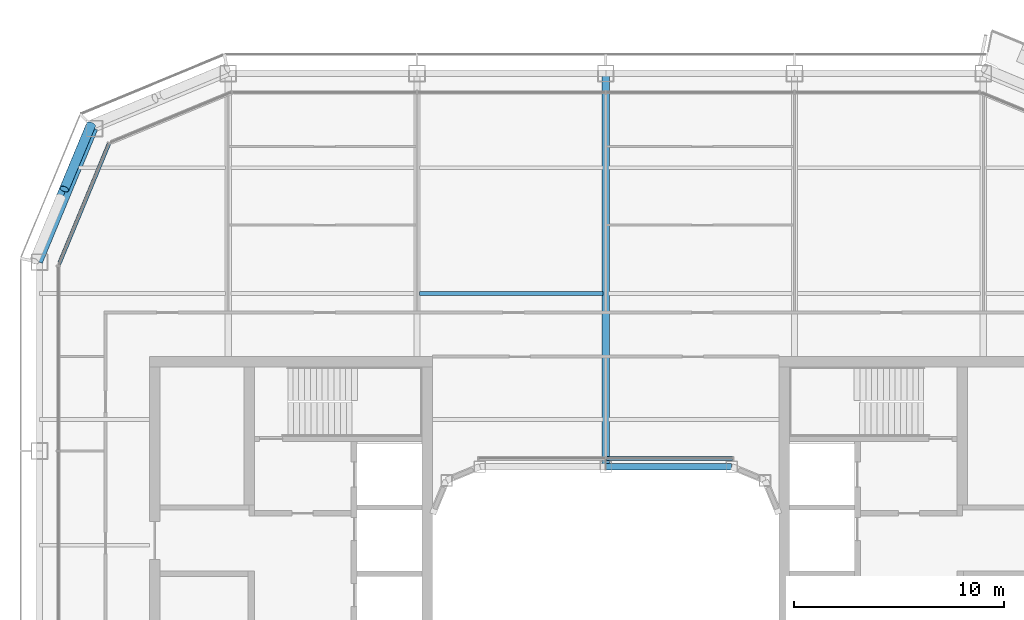
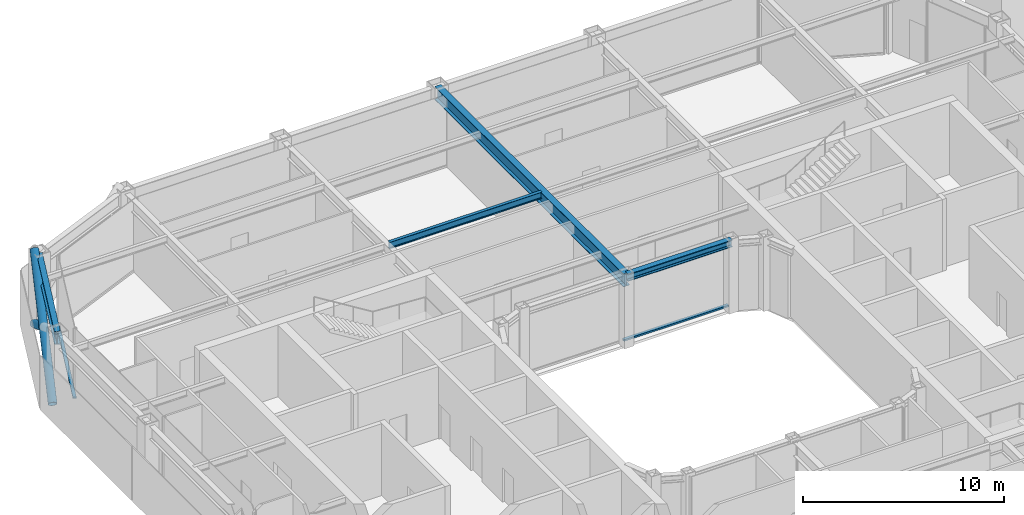
# One storey, part 7 of 23: 4 beams, 4 members, 2 elements without a shape of their own.
"""IFC4 building model written with IfcOpenShell, lengths in metres."""

from ifc_helpers import new_model, si_unit, direction, frame, origin, origin_2d, place, context, subcontext, project, spatial, rectangle, hollow_circle, i_section, extrude, material, layer, layer_set, material_profile, profile_set, type_object, element, aggregate, save


model = new_model("IFC4")

# Units and contexts
model_context = context("Model", 3, precision=1e-05, world=origin(), true_north=direction((0.0, 1.0)))
body_context = subcontext(model_context, "Body", "Model", "MODEL_VIEW")
ifc_project = project(units=[si_unit("LENGTHUNIT", "METRE"), si_unit("AREAUNIT", "SQUARE_METRE"), si_unit("VOLUMEUNIT", "CUBIC_METRE"), si_unit("PLANEANGLEUNIT", "RADIAN"), si_unit("MASSUNIT", "GRAM", prefix="KILO")], contexts=[model_context])

# Site, building, storey
site_placement = place(None, origin())
site = spatial("IfcSite", under=ifc_project, at=site_placement, CompositionType="ELEMENT")
building_placement = place(site_placement, origin())
building = spatial("IfcBuilding", under=site, at=building_placement, Name="Siwar Civic Tower", CompositionType="ELEMENT")
storey_placement = place(building_placement, frame((0.0, 0.0, 242.199951171875)))
storey = spatial("IfcBuildingStorey", under=building, at=storey_placement, Name="L52", CompositionType="ELEMENT", Elevation=242.199951171875)

# Curtain wall, member
ifc_material_1 = material(Name="Aluminium clad insulated panel", Category="aluminium")
ifc_layer_1 = layer(ifc_material_1, 0.179931640625)
ifc_layer_set_1 = layer_set([ifc_layer_1], Name="Aluminium clad insulated panel")
curtain_wall_type_1 = type_object("IfcCurtainWallType", Name="ENV-CW-CX", PredefinedType="NOTDEFINED", material=ifc_layer_set_1)
curtain_wall_1_placement = place(storey_placement, origin())
curtain_wall_1 = element("IfcCurtainWall", 1, at=curtain_wall_1_placement, inside=storey, type_object=curtain_wall_type_1, Name="Curtain wall C NW2", PredefinedType="NOTDEFINED")
ifc_material_2 = material(Name="Aluminium 6063-T6", Category="aluminium")
ifc_material_profile_1 = material_profile(ifc_material_2, rectangle(XDim=0.179931640625, YDim=0.10009765625, at=origin_2d()), Name="AL 180x100")
ifc_profile_set_1 = profile_set([ifc_material_profile_1], Name="Aluminium 6063-T6")
member_type_1 = type_object("IfcMemberType", Name="ENV-TRANSOM-C", PredefinedType="USERDEFINED", material=ifc_profile_set_1)
member_1_placement = place(storey_placement, frame((-23.6865234375, 23.6474609375, 0.050048828125), z_axis=(-0.382691366456, -0.923876246063, 0.0), x_axis=(0.923876246063, -0.382691366456, 0.0)))
member_1 = element("IfcMember", 2, at=member_1_placement, type_object=member_type_1, Name="Transom C NW2 1", ObjectType="TRANSOM", PredefinedType="USERDEFINED", context=body_context, shape_type="SweptSolid", body=[
    extrude(rectangle(XDim=0.179931640625, YDim=0.10009765625, at=origin_2d()), origin(), (0.0, 0.0, 1.0), 6.20166015625),
])
aggregate(curtain_wall_1, [member_1])

ifc_material_3 = material(Name="Aluminium and glass", Category="aluminium")
ifc_layer_2 = layer(ifc_material_3, 0.179931640625)
ifc_layer_set_2 = layer_set([ifc_layer_2], Name="Aluminium and glass")
curtain_wall_type_2 = type_object("IfcCurtainWallType", Name="ENV-CW-W", PredefinedType="NOTDEFINED", material=ifc_layer_set_2)
curtain_wall_2_placement = place(storey_placement, origin())
curtain_wall_2 = element("IfcCurtainWall", 3, at=curtain_wall_2_placement, inside=storey, type_object=curtain_wall_type_2, Name="Curtain wall W WN", PredefinedType="NOTDEFINED")
ifc_material_4 = material(Name="Aluminium 6063-T6", Category="aluminium")
ifc_material_profile_2 = material_profile(ifc_material_4, rectangle(XDim=0.179931640625, YDim=0.10009765625, at=origin_2d()), Name="AL 180x100")
ifc_profile_set_2 = profile_set([ifc_material_profile_2], Name="Aluminium 6063-T6")
member_type_2 = type_object("IfcMemberType", Name="ENV-TRANSOM-W", PredefinedType="USERDEFINED", material=ifc_profile_set_2)
member_2_placement = place(storey_placement, frame((6.046630859375, 8.635009765625, 0.050048828125), z_axis=(-1.0, 0.0, 0.0), x_axis=(0.0, -1.0, 0.0)))
member_2 = element("IfcMember", 4, at=member_2_placement, type_object=member_type_2, Name="Transom W WN 1", ObjectType="TRANSOM", PredefinedType="USERDEFINED", context=body_context, shape_type="SweptSolid", body=[
    extrude(rectangle(XDim=0.179931640625, YDim=0.10009765625, at=origin_2d()), origin(), (0.0, 0.0, 1.0), 6.0166015625),
])
aggregate(curtain_wall_2, [member_2])

# Members
ifc_material_5 = material(Name="Steel S355", Category="steel")
ifc_material_profile_3 = material_profile(ifc_material_5, hollow_circle(Radius=0.228515625, WallThickness=0.02001953125, at=origin_2d()), Name="CHS457x20")
ifc_profile_set_3 = profile_set([ifc_material_profile_3], Name="Steel S355")
member_type_3 = type_object("IfcMemberType", Name="STR-BR-CHS457x20", PredefinedType="BRACE", material=ifc_profile_set_3)
member_3_placement = place(storey_placement, frame((-27.2451171875, 18.048828125, 0.0), z_axis=(0.323905527954, 0.777554562952, 0.538975055633), x_axis=(-0.923108759191, 0.384538969033, 0.0)))
element("IfcMember", 5, at=member_3_placement, inside=storey, type_object=member_type_3, Name="L52/brc/CNW1-12-0-1", PredefinedType="BRACE", context=body_context, shape_type="SweptSolid", body=[
    extrude(hollow_circle(Radius=0.228515625, WallThickness=0.02001953125, at=origin_2d()), origin(), (0.0, 0.0, 1.0), 8.34912109375),
])
member_4_placement = place(storey_placement, frame((-24.540771484375, 24.540771484375, 0.0), z_axis=(-0.323884455881, -0.777546448489, 0.538999424564), x_axis=(0.92311621485, -0.38452107079, 0.0)))
element("IfcMember", 6, at=member_4_placement, inside=storey, type_object=member_type_3, Name="L52/brc/CNW1-12-0-2", PredefinedType="BRACE", context=body_context, shape_type="SweptSolid", body=[
    extrude(hollow_circle(Radius=0.228515625, WallThickness=0.02001953125, at=origin_2d()), origin(), (0.0, 0.0, 1.0), 3.927978515625),
])

# Beams
ifc_material_6 = material(Name="Steel S355", Category="steel")
ifc_material_profile_4 = material_profile(ifc_material_6, i_section(OverallWidth=0.179931640625, OverallDepth=0.39990234375, WebThickness=0.008544921875, FlangeThickness=0.013427734375, FilletRadius=0.02099609375, at=origin_2d()), Name="IPE400")
ifc_profile_set_4 = profile_set([ifc_material_profile_4], Name="Steel S355")
beam_type_1 = type_object("IfcBeamType", Name="STR-FB-IPE400", PredefinedType="JOIST", material=ifc_profile_set_4)
beam_1_placement = place(storey_placement, frame((-8.8701171875, 16.5, 4.150146484375), z_axis=(1.0, 0.0, 0.0), x_axis=(0.0, 1.0, 0.0)))
element("IfcBeam", 7, at=beam_1_placement, inside=storey, type_object=beam_type_1, Name="L52/bm/F033", PredefinedType="JOIST", context=body_context, shape_type="SweptSolid", body=[
    extrude(i_section(OverallWidth=0.179931640625, OverallDepth=0.39990234375, WebThickness=0.008544921875, FlangeThickness=0.013427734375, FilletRadius=0.02099609375, at=origin_2d()), origin(), (0.0, 0.0, 1.0), 8.740234375),
])
ifc_material_7 = material(Name="Steel S355", Category="steel")
ifc_material_profile_5 = material_profile(ifc_material_7, i_section(OverallWidth=0.360107421875, OverallDepth=0.800048828125, WebThickness=0.013916015625, FlangeThickness=0.031982421875, at=origin_2d()), Name="PG800x360x14x32")
ifc_profile_set_5 = profile_set([ifc_material_profile_5], Name="Steel S355")
beam_type_2 = type_object("IfcBeamType", Name="STR-PG-PG800x360x14x32", PredefinedType="BEAM", material=ifc_profile_set_5)
beam_2_placement = place(storey_placement, frame((0.0, 8.25, 3.949951171875), z_axis=(0.0, 1.0, 0.0), x_axis=(-1.0, 0.0, 0.0)))
element("IfcBeam", 8, at=beam_2_placement, inside=storey, type_object=beam_type_2, Name="L52/bm/G06", PredefinedType="BEAM", context=body_context, shape_type="SweptSolid", body=[
    extrude(i_section(OverallWidth=0.360107421875, OverallDepth=0.800048828125, WebThickness=0.013916015625, FlangeThickness=0.031982421875, at=origin_2d()), origin(), (0.0, 0.0, 1.0), 18.75),
])
ifc_material_8 = material(Name="Steel S355", Category="steel")
ifc_material_profile_6 = material_profile(ifc_material_8, i_section(OverallWidth=0.306884765625, OverallDepth=0.431884765625, WebThickness=0.02099609375, FlangeThickness=0.0400390625, FilletRadius=0.027099609375, at=origin_2d()), Name="HEM400")
ifc_profile_set_6 = profile_set([ifc_material_profile_6], Name="Steel S355")
beam_type_3 = type_object("IfcBeamType", Name="STR-RB-HEM400", PredefinedType="BEAM", material=ifc_profile_set_6)
beam_3_placement = place(storey_placement, frame((0.0, 8.25, 4.134033203125), z_axis=(1.0, 0.0, 0.0), x_axis=(0.0, 1.0, 0.0)))
element("IfcBeam", 9, at=beam_3_placement, inside=storey, type_object=beam_type_3, Name="L52/bm/RN2", PredefinedType="BEAM", context=body_context, shape_type="SweptSolid", body=[
    extrude(i_section(OverallWidth=0.306884765625, OverallDepth=0.431884765625, WebThickness=0.02099609375, FlangeThickness=0.0400390625, FilletRadius=0.027099609375, at=origin_2d()), origin(), (0.0, 0.0, 1.0), 6.0),
])
ifc_material_9 = material(Name="Steel S355", Category="steel")
ifc_material_profile_7 = material_profile(ifc_material_9, i_section(OverallWidth=0.300048828125, OverallDepth=0.800048828125, WebThickness=0.017578125, FlangeThickness=0.032958984375, FilletRadius=0.030029296875, at=origin_2d()), Name="HEB800")
ifc_profile_set_7 = profile_set([ifc_material_profile_7], Name="Steel S355")
beam_type_4 = type_object("IfcBeamType", Name="STR-SB-HEB800", PredefinedType="BEAM", material=ifc_profile_set_7)
beam_4_placement = place(storey_placement, frame((-24.364013671875, 24.364013671875, 3.949951171875), z_axis=(-0.382674207535, -0.923883353507, 0.0), x_axis=(0.923883353507, -0.382674207535, 0.0)))
element("IfcBeam", 10, at=beam_4_placement, inside=storey, type_object=beam_type_4, Name="L52/bm/SNW2-0", PredefinedType="BEAM", context=body_context, shape_type="SweptSolid", body=[
    extrude(i_section(OverallWidth=0.300048828125, OverallDepth=0.800048828125, WebThickness=0.017578125, FlangeThickness=0.032958984375, FilletRadius=0.030029296875, at=origin_2d()), origin(), (0.0, 0.0, 1.0), 6.888427734375),
])

save(model, "model.ifc")
